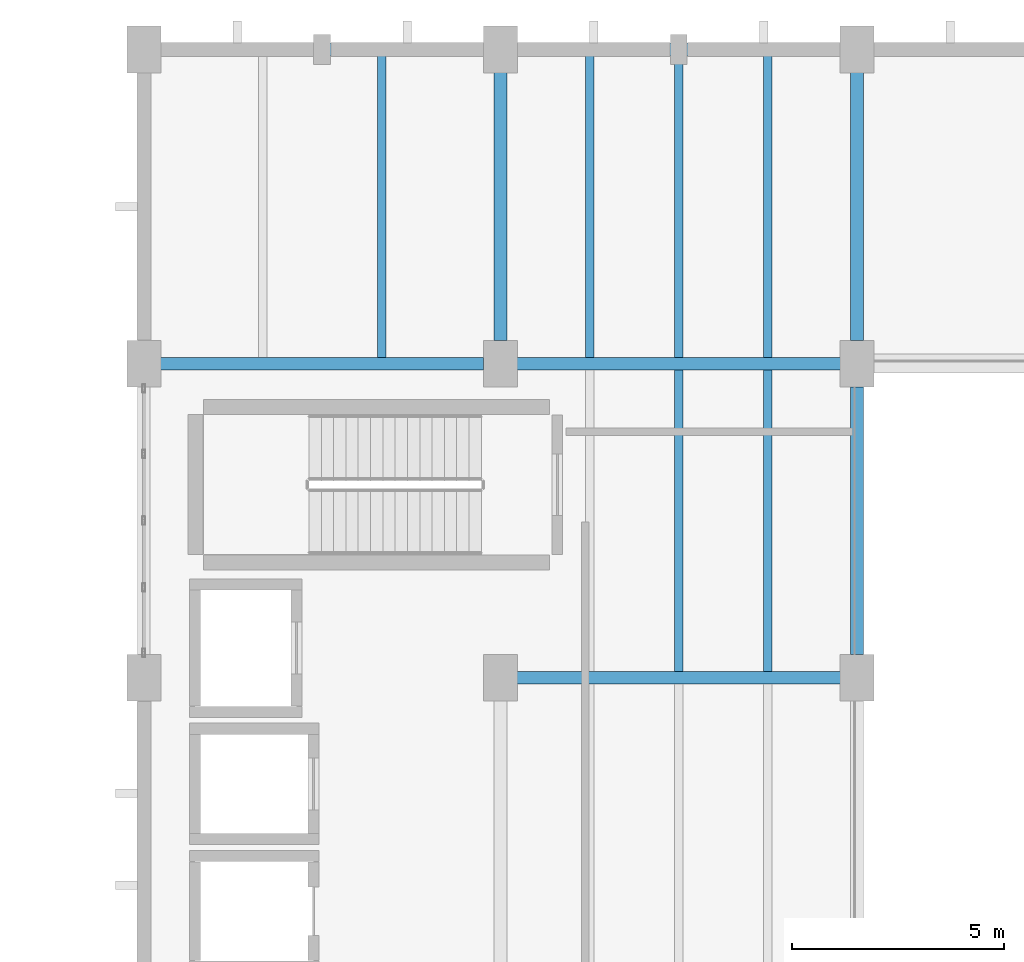
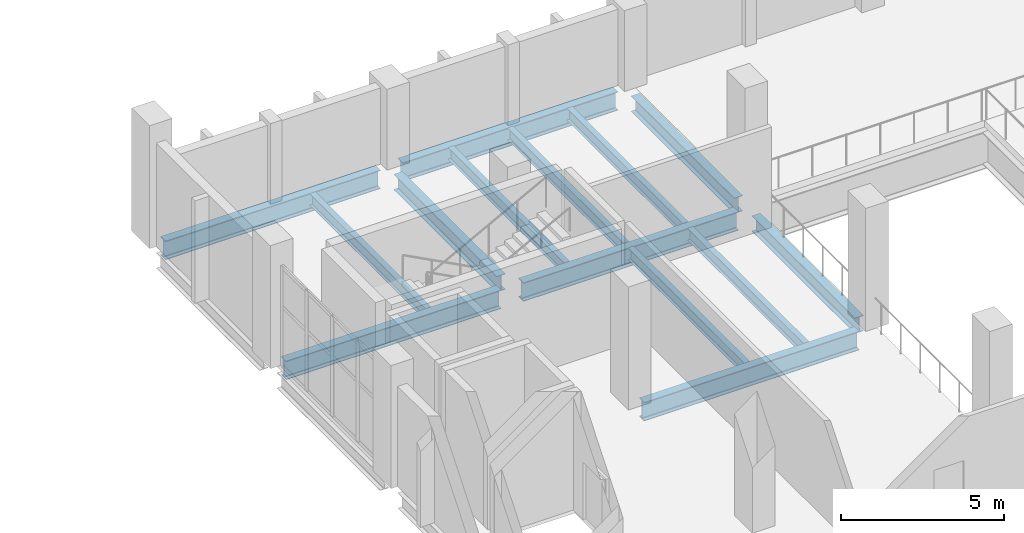
# One storey, part 35 of 74: 14 beams.
"""IFC4 building model written with IfcOpenShell, lengths in metres."""

from ifc_helpers import new_model, si_unit, direction, frame, origin, origin_2d, place, context, subcontext, project, spatial, i_section, extrude, material, material_profile, profile_set, type_object, element, save


model = new_model("IFC4")

# Units and contexts
model_context = context("Model", 3, precision=1e-05, world=origin(), true_north=direction((0.0, 1.0)))
body_context = subcontext(model_context, "Body", "Model", "MODEL_VIEW")
ifc_project = project(units=[si_unit("LENGTHUNIT", "METRE"), si_unit("AREAUNIT", "SQUARE_METRE"), si_unit("VOLUMEUNIT", "CUBIC_METRE"), si_unit("PLANEANGLEUNIT", "RADIAN"), si_unit("MASSUNIT", "GRAM", prefix="KILO")], contexts=[model_context])

# Site, building, storey
site_placement = place(None, origin())
site = spatial("IfcSite", under=ifc_project, at=site_placement, CompositionType="ELEMENT")
building_placement = place(site_placement, origin())
building = spatial("IfcBuilding", under=site, at=building_placement, Name="Shengluoqiao Park Theatre", CompositionType="ELEMENT")
storey_placement = place(building_placement, frame((0.0, 0.0, 14.60009765625)))
storey = spatial("IfcBuildingStorey", under=building, at=storey_placement, Name="L03", CompositionType="ELEMENT", Elevation=14.60009765625)

# Beams
ifc_material_1 = material(Name="Steel Q355", Category="steel")
ifc_material_profile_1 = material_profile(ifc_material_1, i_section(OverallWidth=0.300048828125, OverallDepth=0.587890625, WebThickness=0.011962890625, FlangeThickness=0.02001953125, FilletRadius=0.02392578125, at=origin_2d()), Name="HM 588x300x12x20")
ifc_profile_set_1 = profile_set([ifc_material_profile_1], Name="Steel Q355")
beam_type_1 = type_object("IfcBeamType", Name="STR-BM-G-HM588", PredefinedType="BEAM", material=ifc_profile_set_1)
for number, where, z_axis, x_axis, name in (
    (1, (52.800048828125, 107.14404296875, -0.5341796875), (0.0, 1.0, 0.0), (-1.0, 0.0, 0.0), "L03 Transverse Girder 01221"),
    (2, (61.199951171875, 99.743896484375, -0.544189453125), (0.0, 1.0, 0.0), (-1.0, 0.0, 0.0), "L03 Transverse Girder 01225"),
    (3, (61.199951171875, 107.14404296875, -0.544189453125), (0.0, 1.0, 0.0), (-1.0, 0.0, 0.0), "L03 Transverse Girder 01226"),
):
    element("IfcBeam", number, at=place(storey_placement, frame(where, z_axis=z_axis, x_axis=x_axis)), inside=storey, type_object=beam_type_1, Name=name, PredefinedType="BEAM", context=body_context, shape_type="SweptSolid", body=[
        extrude(i_section(OverallWidth=0.300048828125, OverallDepth=0.587890625, WebThickness=0.011962890625, FlangeThickness=0.02001953125, FilletRadius=0.02392578125, at=origin_2d()), origin(), (0.0, 0.0, 1.0), 6.31201171875),
    ])
ifc_material_2 = material(Name="Steel Q390", Category="steel")
ifc_material_profile_2 = material_profile(ifc_material_2, i_section(OverallWidth=0.300048828125, OverallDepth=0.699951171875, WebThickness=0.012939453125, FlangeThickness=0.02392578125, FilletRadius=0.02392578125, at=origin_2d()), Name="HN 700x300x13x24")
ifc_profile_set_2 = profile_set([ifc_material_profile_2], Name="Steel Q390")
beam_type_2 = type_object("IfcBeamType", Name="STR-BM-G-HN700", PredefinedType="BEAM", material=ifc_profile_set_2)
beam_1_placement = place(storey_placement, frame((53.194091796875, 99.199951171875, -0.590087890625), z_axis=(1.0, 0.0, 0.0), x_axis=(0.0, 1.0, 0.0)))
element("IfcBeam", 4, at=beam_1_placement, inside=storey, type_object=beam_type_2, Name="L03 Primary Girder 01209", PredefinedType="BEAM", context=body_context, shape_type="SweptSolid", body=[
    extrude(i_section(OverallWidth=0.300048828125, OverallDepth=0.699951171875, WebThickness=0.012939453125, FlangeThickness=0.02392578125, FilletRadius=0.02392578125, at=origin_2d()), origin(), (0.0, 0.0, 1.0), 7.61181640625),
])
beam_2_placement = place(storey_placement, frame((44.7939453125, 106.60009765625, -0.590087890625), z_axis=(1.0, 0.0, 0.0), x_axis=(0.0, 1.0, 0.0)))
element("IfcBeam", 5, at=beam_2_placement, inside=storey, type_object=beam_type_2, Name="L03 Primary Girder 01210", PredefinedType="BEAM", context=body_context, shape_type="SweptSolid", body=[
    extrude(i_section(OverallWidth=0.300048828125, OverallDepth=0.699951171875, WebThickness=0.012939453125, FlangeThickness=0.02392578125, FilletRadius=0.02392578125, at=origin_2d()), origin(), (0.0, 0.0, 1.0), 7.612060546875),
])
beam_3_placement = place(storey_placement, frame((53.194091796875, 106.60009765625, -0.60009765625), z_axis=(1.0, 0.0, 0.0), x_axis=(0.0, 1.0, 0.0)))
element("IfcBeam", 6, at=beam_3_placement, inside=storey, type_object=beam_type_2, Name="L03 Primary Girder 01211", PredefinedType="BEAM", context=body_context, shape_type="SweptSolid", body=[
    extrude(i_section(OverallWidth=0.300048828125, OverallDepth=0.699951171875, WebThickness=0.012939453125, FlangeThickness=0.02392578125, FilletRadius=0.02392578125, at=origin_2d()), origin(), (0.0, 0.0, 1.0), 7.61181640625),
])
beam_4_placement = place(storey_placement, frame((44.7939453125, 114.0, -0.590087890625), z_axis=(1.0, 0.0, 0.0), x_axis=(0.0, 1.0, 0.0)))
element("IfcBeam", 7, at=beam_4_placement, inside=storey, type_object=beam_type_2, Name="L03 Primary Girder 01212", PredefinedType="BEAM", context=body_context, shape_type="SweptSolid", body=[
    extrude(i_section(OverallWidth=0.300048828125, OverallDepth=0.699951171875, WebThickness=0.012939453125, FlangeThickness=0.02392578125, FilletRadius=0.02392578125, at=origin_2d()), origin(), (0.0, 0.0, 1.0), 7.612060546875),
])
beam_5_placement = place(storey_placement, frame((53.194091796875, 114.0, -0.60009765625), z_axis=(1.0, 0.0, 0.0), x_axis=(0.0, 1.0, 0.0)))
element("IfcBeam", 8, at=beam_5_placement, inside=storey, type_object=beam_type_2, Name="L03 Primary Girder 01213", PredefinedType="BEAM", context=body_context, shape_type="SweptSolid", body=[
    extrude(i_section(OverallWidth=0.300048828125, OverallDepth=0.699951171875, WebThickness=0.012939453125, FlangeThickness=0.02392578125, FilletRadius=0.02392578125, at=origin_2d()), origin(), (0.0, 0.0, 1.0), 7.61181640625),
])
ifc_material_profile_3 = material_profile(ifc_material_1, i_section(OverallWidth=0.199951171875, OverallDepth=0.449951171875, WebThickness=0.009033203125, FlangeThickness=0.013916015625, FilletRadius=0.01611328125, at=origin_2d()), Name="HN 450x200x9x14")
ifc_profile_set_3 = profile_set([ifc_material_profile_3], Name="Steel Q355")
beam_type_3 = type_object("IfcBeamType", Name="STR-BM-J-HN450", PredefinedType="JOIST", material=ifc_profile_set_3)
beam_6_placement = place(storey_placement, frame((50.0, 106.7451171875, -0.465087890625), z_axis=(0.0, 1.0, 0.0), x_axis=(-1.0, 0.0, 0.0)))
element("IfcBeam", 9, at=beam_6_placement, inside=storey, type_object=beam_type_3, Name="L03 Composite Joist 01230", PredefinedType="JOIST", context=body_context, shape_type="SweptSolid", body=[
    extrude(i_section(OverallWidth=0.199951171875, OverallDepth=0.449951171875, WebThickness=0.009033203125, FlangeThickness=0.013916015625, FilletRadius=0.01611328125, at=origin_2d()), origin(), (0.0, 0.0, 1.0), 7.10986328125),
])
for number, where, z_axis, x_axis, name in (
    (10, (57.0, 99.344970703125, -0.465087890625), (0.0, 1.0, 0.0), (-1.0, 0.0, 0.0), "L03 Composite Joist 01241"),
    (11, (59.10009765625, 99.344970703125, -0.465087890625), (0.0, 1.0, 0.0), (-1.0, 0.0, 0.0), "L03 Composite Joist 01242"),
):
    element("IfcBeam", number, at=place(storey_placement, frame(where, z_axis=z_axis, x_axis=x_axis)), inside=storey, type_object=beam_type_3, Name=name, PredefinedType="JOIST", context=body_context, shape_type="SweptSolid", body=[
        extrude(i_section(OverallWidth=0.199951171875, OverallDepth=0.449951171875, WebThickness=0.009033203125, FlangeThickness=0.013916015625, FilletRadius=0.01611328125, at=origin_2d()), origin(), (0.0, 0.0, 1.0), 7.110107421875),
    ])
for number, where, z_axis, x_axis, name in (
    (12, (54.89990234375, 106.7451171875, -0.465087890625), (0.0, 1.0, 0.0), (-1.0, 0.0, 0.0), "L03 Composite Joist 01243"),
    (13, (57.0, 106.7451171875, -0.465087890625), (0.0, 1.0, 0.0), (-1.0, 0.0, 0.0), "L03 Composite Joist 01244"),
    (14, (59.10009765625, 106.7451171875, -0.465087890625), (0.0, 1.0, 0.0), (-1.0, 0.0, 0.0), "L03 Composite Joist 01245"),
):
    element("IfcBeam", number, at=place(storey_placement, frame(where, z_axis=z_axis, x_axis=x_axis)), inside=storey, type_object=beam_type_3, Name=name, PredefinedType="JOIST", context=body_context, shape_type="SweptSolid", body=[
        extrude(i_section(OverallWidth=0.199951171875, OverallDepth=0.449951171875, WebThickness=0.009033203125, FlangeThickness=0.013916015625, FilletRadius=0.01611328125, at=origin_2d()), origin(), (0.0, 0.0, 1.0), 7.10986328125),
    ])

save(model, "model.ifc")
